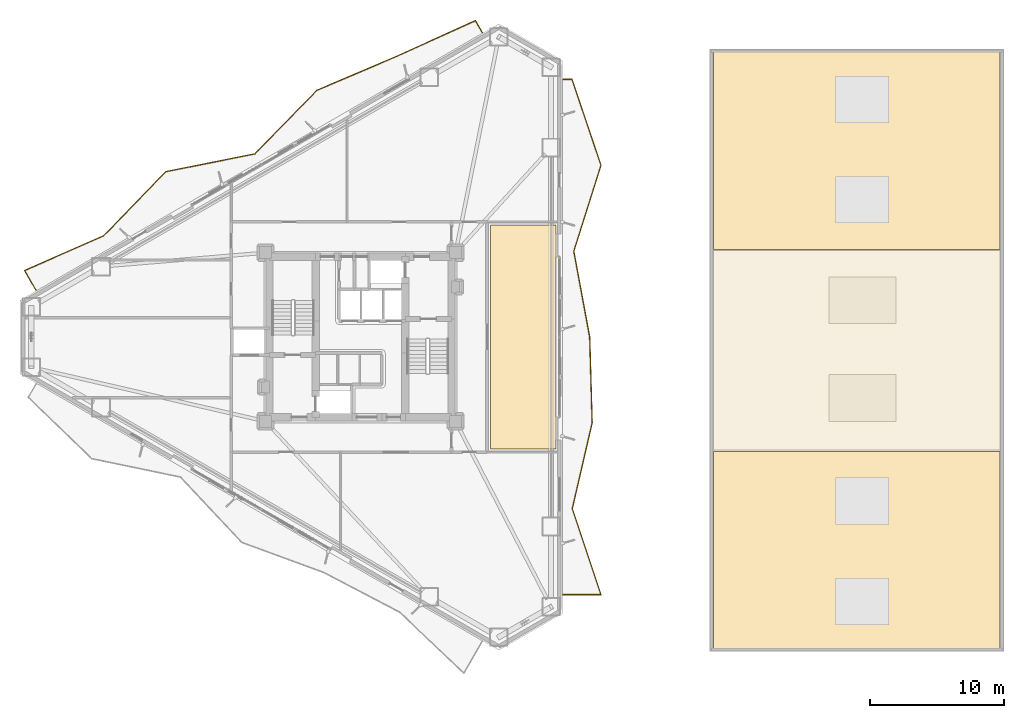
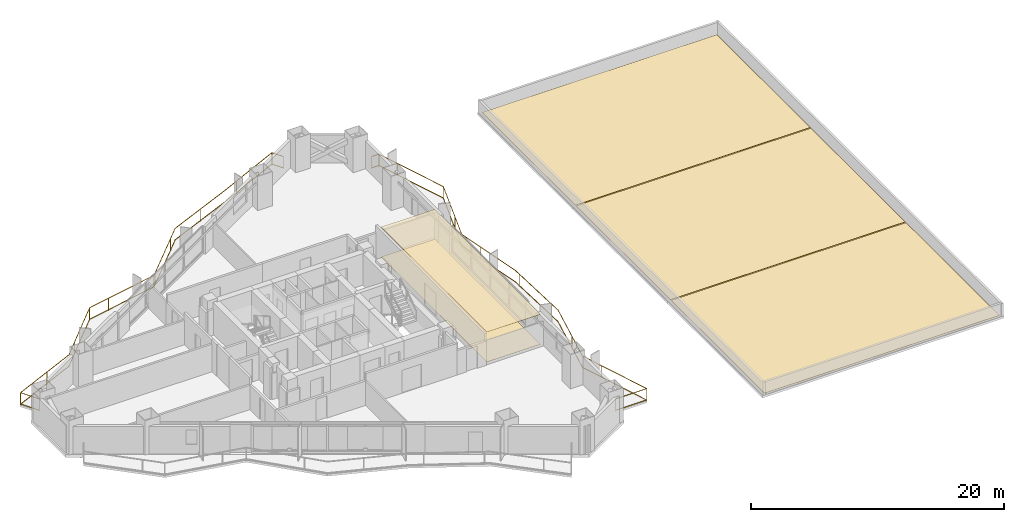
# One storey, part 16 of 16: 5 coverings, 2 railings.
"""IFC4 building model written with IfcOpenShell, lengths in metres."""

import ifcopenshell
import ifcopenshell.guid

model = None  # the IFC model being written
_history = None  # IfcOwnerHistory: only IFC2X3 demands one
_inside = {}  # id of a spatial element -> (the spatial element, [elements in it])
_under = {}  # id of a project, library or spatial element -> (it, [spatial elements below it])
_declared = {}  # id of a project -> (the project, [libraries it declares])
_typed = {}  # id of a type object -> (the type object, [elements of that type])
_made_of = {}  # id of a material, layer set ... -> (it, [elements and type objects made of it])


def new_model(schema):
    """Start an empty IFC model of exactly this schema.

    Asked for "IFC4X3", IfcOpenShell would pick the latest addendum, in which some entities
    have other attributes; the version numbers below select the first issue.
    IFC2X3 requires an IfcOwnerHistory on every rooted entity: one is made here for all.
    """
    global model, _history
    if schema == "IFC4X3":
        model = ifcopenshell.file(schema_version=(4, 3, 0, 0))
    else:
        model = ifcopenshell.file(schema=schema)
    _inside.clear()
    _under.clear()
    _declared.clear()
    _typed.clear()
    _made_of.clear()
    _history = None
    if model.schema == "IFC2X3":
        org = make("IfcOrganization", Name="unknown")
        user = make(
            "IfcPersonAndOrganization",
            ThePerson=make("IfcPerson", FamilyName="unknown"),
            TheOrganization=org,
        )
        app = make(
            "IfcApplication",
            ApplicationDeveloper=org,
            Version="unknown",
            ApplicationFullName="unknown",
            ApplicationIdentifier="unknown",
        )
        _history = make(
            "IfcOwnerHistory",
            OwningUser=user,
            OwningApplication=app,
            ChangeAction="ADDED",
            CreationDate=0,
        )
    return model


def make(cls, **values):
    """One entity of the class cls with the attributes given. An attribute that is None is left unset."""
    return model.create_entity(
        cls, **{name: value for name, value in values.items() if value is not None}
    )


def rooted(cls, **values):
    """An entity with a GlobalId (a new one), such as an element, a storey or a relation."""
    return make(cls, GlobalId=ifcopenshell.guid.new(), OwnerHistory=_history, **values)


def si_unit(unit_type, name, prefix=None):
    """IfcSIUnit, for example si_unit("LENGTHUNIT", "METRE", prefix="MILLI")."""
    return make("IfcSIUnit", UnitType=unit_type, Prefix=prefix, Name=name)


def assignment(units):
    """IfcUnitAssignment: the units of a project."""
    return None if units is None else make("IfcUnitAssignment", Units=units)


def point(xyz):
    """IfcCartesianPoint."""
    return None if xyz is None else make("IfcCartesianPoint", Coordinates=xyz)


def direction(xyz):
    """IfcDirection."""
    return None if xyz is None else make("IfcDirection", DirectionRatios=xyz)


def frame(location, z_axis=None, x_axis=None):
    """IfcAxis2Placement3D, a coordinate frame: its origin and axes. An axis left out is left unset."""
    return make(
        "IfcAxis2Placement3D",
        Location=point(location),
        Axis=direction(z_axis),
        RefDirection=direction(x_axis),
    )


def frame_2d(location, x_axis=None):
    """IfcAxis2Placement2D, a coordinate frame in the plane: its origin and x axis."""
    return make(
        "IfcAxis2Placement2D", Location=point(location), RefDirection=direction(x_axis)
    )


def origin():
    """The frame at (0, 0, 0) with its axes left unset."""
    return frame((0.0, 0.0, 0.0))


def origin_2d():
    """The frame at (0, 0) in the plane with its x axis left unset."""
    return frame_2d((0.0, 0.0))


def place(relative_to, where):
    """IfcLocalPlacement: puts the frame where relative to a parent placement (None: the world)."""
    return make(
        "IfcLocalPlacement", PlacementRelTo=relative_to, RelativePlacement=where
    )


def context(
    kind, dimensions, precision=None, world=None, true_north=None, identifier=None
):
    """IfcGeometricRepresentationContext, for example the 3D "Model" context."""
    return make(
        "IfcGeometricRepresentationContext",
        ContextIdentifier=identifier,
        ContextType=kind,
        CoordinateSpaceDimension=dimensions,
        Precision=precision,
        WorldCoordinateSystem=world,
        TrueNorth=true_north,
    )


def subcontext(parent, identifier, kind, view, scale=None):
    """IfcGeometricRepresentationSubContext, for example "Body" below "Model"."""
    return make(
        "IfcGeometricRepresentationSubContext",
        ContextIdentifier=identifier,
        ContextType=kind,
        ParentContext=parent,
        TargetScale=scale,
        TargetView=view,
    )


def project(units=None, contexts=None):
    """IfcProject with its units and contexts."""
    return rooted(
        "IfcProject",
        Name="project",
        RepresentationContexts=contexts,
        UnitsInContext=assignment(units),
    )


def spatial(cls, under=None, at=None, **own):
    """A site, building, storey or space (cls), placed at a placement, below another one or the project."""
    s = rooted(cls, ObjectPlacement=at, **own)
    if under is not None:
        _under.setdefault(under.id(), (under, []))[1].append(s)
    return s


def polyline(points):
    """IfcPolyline through the points."""
    return make("IfcPolyline", Points=[point(p) for p in points])


def profile(cls, at=None, kind="AREA", **sizes):
    """A parametric profile (cls). Its sizes go by their IFC names, for example OverallWidth=200.0."""
    return make(cls, ProfileType=kind, Position=at, **sizes)


def rectangle(**sizes):
    """IfcRectangleProfileDef."""
    return profile("IfcRectangleProfileDef", **sizes)


def outline(outer, holes=None, kind="AREA"):
    """IfcArbitraryClosedProfileDef: a profile drawn as a closed curve; with holes, ...WithVoids."""
    if holes is None:
        return make("IfcArbitraryClosedProfileDef", ProfileType=kind, OuterCurve=outer)
    return make(
        "IfcArbitraryProfileDefWithVoids",
        ProfileType=kind,
        OuterCurve=outer,
        InnerCurves=holes,
    )


def extrude(swept, where, along, depth):
    """IfcExtrudedAreaSolid: the profile swept, set in the frame where, extruded along a direction by depth."""
    return make(
        "IfcExtrudedAreaSolid",
        SweptArea=swept,
        Position=where,
        ExtrudedDirection=direction(along),
        Depth=depth,
    )


def shape(context_of_items, identifier, shape_type, items):
    """IfcShapeRepresentation: the items that make up one representation, for example the "Body"."""
    return make(
        "IfcShapeRepresentation",
        ContextOfItems=context_of_items,
        RepresentationIdentifier=identifier,
        RepresentationType=shape_type,
        Items=items,
    )


def material(Name=None, Category=None):
    """IfcMaterial."""
    return make("IfcMaterial", Name=Name, Category=Category)


def layer(
    of_material, thickness, ventilated=None, Name=None, Category=None, Priority=None
):
    """IfcMaterialLayer: one layer of a wall or slab, of a material (None: an air gap)."""
    return make(
        "IfcMaterialLayer",
        Material=of_material,
        LayerThickness=thickness,
        IsVentilated=ventilated,
        Name=Name,
        Category=Category,
        Priority=Priority,
    )


def layer_set(layers, Name=None):
    """IfcMaterialLayerSet."""
    return make("IfcMaterialLayerSet", MaterialLayers=layers, LayerSetName=Name)


def made_of(thing, what):
    """Note that an element or type object is made of a material, layer set ...; save() writes the relation."""
    if what is not None:
        _made_of.setdefault(what.id(), (what, []))[1].append(thing)
    return thing


def type_object(cls, material=None, **own):
    """A type object (cls), such as IfcWallType, which elements share."""
    return made_of(rooted(cls, **own), material)


def element(
    cls,
    number,
    at=None,
    inside=None,
    cuts=None,
    type_object=None,
    material=None,
    context=None,
    identifier="Body",
    shape_type=None,
    held_by="IfcProductDefinitionShape",
    body=None,
    shapes=None,
    **own,
):
    """One element of the class cls, such as IfcWall. Its Tag is "e" and its number.

    at: its placement. inside: the storey or other place that contains it. cuts: it is an
    opening in that element (IfcRelVoidsElement). A single representation is given by context,
    identifier, shape_type and body (its items); several are given by shapes. held_by: the class
    of the entity that holds the representations. save() writes the other relations.
    """
    e = rooted(cls, Tag="e%d" % number, ObjectPlacement=at, **own)
    if body is not None:
        shapes = [shape(context, identifier, shape_type, body)]
    if shapes is not None:
        e.Representation = make(held_by, Representations=shapes)
    if inside is not None:
        _inside.setdefault(inside.id(), (inside, []))[1].append(e)
    if cuts is not None:
        rooted(
            "IfcRelVoidsElement", RelatingBuildingElement=cuts, RelatedOpeningElement=e
        )
    if type_object is not None:
        _typed.setdefault(type_object.id(), (type_object, []))[1].append(e)
    return made_of(e, material)


def aggregate(whole, parts):
    """IfcRelAggregates: a whole, such as a stair, and the parts it consists of."""
    return rooted("IfcRelAggregates", RelatingObject=whole, RelatedObjects=parts)


def save(model, path):
    """Write the relations noted so far, then the file.

    IfcRelAggregates (storeys below a building ...), IfcRelContainedInSpatialStructure (elements
    in a storey), IfcRelDefinesByType, IfcRelAssociatesMaterial and IfcRelDeclares: one each for
    every whole, place, type object, material and project.
    """
    for whole, parts in _under.values():
        aggregate(whole, parts)
    for where, things in _inside.values():
        rooted(
            "IfcRelContainedInSpatialStructure",
            RelatedElements=things,
            RelatingStructure=where,
        )
    for kind, things in _typed.values():
        rooted("IfcRelDefinesByType", RelatedObjects=things, RelatingType=kind)
    for what, things in _made_of.values():
        rooted("IfcRelAssociatesMaterial", RelatedObjects=things, RelatingMaterial=what)
    for by, libraries in _declared.values():
        rooted("IfcRelDeclares", RelatingContext=by, RelatedDefinitions=libraries)
    model.write(path)


model = new_model("IFC4")

# Units and contexts
model_context = context("Model", 3, precision=1e-05, world=origin(), true_north=direction((0.0, 1.0)))
body_context = subcontext(model_context, "Body", "Model", "MODEL_VIEW")
ifc_project = project(units=[si_unit("LENGTHUNIT", "METRE"), si_unit("AREAUNIT", "SQUARE_METRE"), si_unit("VOLUMEUNIT", "CUBIC_METRE"), si_unit("PLANEANGLEUNIT", "RADIAN"), si_unit("MASSUNIT", "GRAM", prefix="KILO")], contexts=[model_context])

# Site, building, storey
site_placement = place(None, origin())
site = spatial("IfcSite", under=ifc_project, at=site_placement, CompositionType="ELEMENT")
building_placement = place(site_placement, origin())
building = spatial("IfcBuilding", under=site, at=building_placement, Name="Mersakhor Tower and Convention Hall", CompositionType="ELEMENT")
storey_placement = place(building_placement, frame((0.0, 0.0, 19.199951171875)))
storey = spatial("IfcBuildingStorey", under=building, at=storey_placement, Name="L04", CompositionType="ELEMENT", Elevation=19.199951171875)

# Coverings
ifc_material_1 = material(Name="Acoustic mineral-fibre suspended ceiling", Category="other")
ifc_layer_1 = layer(ifc_material_1, 0.02490234375)
ifc_layer_set_1 = layer_set([ifc_layer_1], Name="Acoustic mineral-fibre suspended ceiling")
covering_type_1 = type_object("IfcCoveringType", Name="COV-CLG-25", PredefinedType="CEILING", material=ifc_layer_set_1)
covering_1_placement = place(storey_placement, frame((0.0, 0.0, 2.880126953125)))
element("IfcCovering", 1, at=covering_1_placement, inside=storey, type_object=covering_type_1, Name="L04 Podium Residents Library Hall Acoustic Suspended Ceiling", PredefinedType="CEILING", context=body_context, shape_type="SweptSolid", body=[
    extrude(outline(polyline([(38.699951171875, 18.39990234375), (38.699951171875, 35.10009765625), (43.60009765625, 35.10009765625), (43.60009765625, 18.39990234375), (38.699951171875, 18.39990234375)])), origin(), (0.0, 0.0, 1.0), 0.02490234375),
])
ifc_material_2 = material(Name="Polished porcelain tile flooring", Category="other")
ifc_layer_2 = layer(ifc_material_2, 0.02001953125)
ifc_layer_set_2 = layer_set([ifc_layer_2], Name="Polished porcelain tile flooring")
covering_type_2 = type_object("IfcCoveringType", Name="COV-FLR-20", PredefinedType="FLOORING", material=ifc_layer_set_2)
covering_2_placement = place(storey_placement, origin())
element("IfcCovering", 2, at=covering_2_placement, inside=storey, type_object=covering_type_2, Name="L04 Podium Residents Library Hall Porcelain Floor Finish", PredefinedType="FLOORING", context=body_context, shape_type="SweptSolid", body=[
    extrude(outline(polyline([(38.699951171875, 18.39990234375), (38.699951171875, 35.10009765625), (43.60009765625, 35.10009765625), (43.60009765625, 18.39990234375), (38.699951171875, 18.39990234375)])), origin(), (0.0, 0.0, 1.0), 0.02001953125),
])
ifc_material_3 = material(Name="Elastomeric waterproof membrane and insulation", Category="other")
ifc_layer_3 = layer(ifc_material_3, 0.0400390625)
ifc_layer_set_3 = layer_set([ifc_layer_3], Name="Elastomeric waterproof membrane and insulation")
covering_type_3 = type_object("IfcCoveringType", Name="COV-ROOF-MEMB", PredefinedType="ROOFING", material=ifc_layer_set_3)
covering_3_placement = place(storey_placement, frame((0.0, 0.0, 0.2099609375)))
element("IfcCovering", 3, at=covering_3_placement, inside=storey, type_object=covering_type_3, Name="Convention Roof Waterproofing Membrane RFM-1", PredefinedType="ROOFING", context=body_context, shape_type="SweptSolid", body=[
    extrude(outline(polyline([(55.375, 3.449951171875), (55.375, 18.199951171875), (76.77490234375, 18.199951171875), (76.77490234375, 3.449951171875), (55.375, 3.449951171875)])), origin(), (0.0, 0.0, 1.0), 0.0400390625),
])
covering_4_placement = place(storey_placement, frame((0.0, 0.0, 0.2099609375)))
element("IfcCovering", 4, at=covering_4_placement, inside=storey, type_object=covering_type_3, Name="Convention Roof Waterproofing Membrane RFM-2", PredefinedType="ROOFING", context=body_context, shape_type="SweptSolid", body=[
    extrude(outline(polyline([(55.375, 18.300048828125), (55.375, 33.199951171875), (76.77490234375, 33.199951171875), (76.77490234375, 18.300048828125), (55.375, 18.300048828125)])), origin(), (0.0, 0.0, 1.0), 0.0400390625),
])
covering_5_placement = place(storey_placement, frame((0.0, 0.0, 0.2099609375)))
element("IfcCovering", 5, at=covering_5_placement, inside=storey, type_object=covering_type_3, Name="Convention Roof Waterproofing Membrane RFM-3", PredefinedType="ROOFING", context=body_context, shape_type="SweptSolid", body=[
    extrude(outline(polyline([(55.375, 33.300048828125), (55.375, 48.050048828125), (76.77490234375, 48.050048828125), (76.77490234375, 33.300048828125), (55.375, 33.300048828125)])), origin(), (0.0, 0.0, 1.0), 0.0400390625),
])

# Railings
ifc_material_4 = material(Name="Powder-coated galvanised steel and laminated glass balustrade", Category="steel")
railing_type = type_object("IfcRailingType", Name="RL-BAL-1200", PredefinedType="BALUSTRADE", material=ifc_material_4)
railing_1_placement = place(storey_placement, frame((38.099609375, 49.497314453125, 0.0)))
element("IfcRailing", 6, at=railing_1_placement, inside=storey, type_object=railing_type, Name="L04 Sinusoidal Balcony Balustrade F1", PredefinedType="BALUSTRADE", context=body_context, shape_type="SweptSolid", body=[
    extrude(rectangle(XDim=0.048095703125, YDim=0.048095703125, at=origin_2d()), frame((0.0, 0.0, 1.17578125), z_axis=(-0.5001118933, 0.865960792519, 0.0), x_axis=(-0.865960792519, -0.5001118933, 0.0)), (0.0, 0.0, 1.0), 1.031005859375),
    extrude(rectangle(XDim=0.048095703125, YDim=0.048095703125, at=origin_2d()), frame((0.0, 0.0, 0.080078125), z_axis=(-0.5001118933, 0.865960792519, 0.0), x_axis=(-0.865960792519, -0.5001118933, 0.0)), (0.0, 0.0, 1.0), 1.031005859375),
    extrude(rectangle(XDim=0.048095703125, YDim=0.048095703125, at=origin_2d()), frame((-0.515625, 0.892822265625, 1.17578125), z_axis=(-0.910485723337, -0.413540502973, 0.0), x_axis=(0.413540502973, -0.910485723337, 0.0)), (0.0, 0.0, 1.0), 6.448486328125),
    extrude(rectangle(XDim=0.048095703125, YDim=0.048095703125, at=origin_2d()), frame((-0.515625, 0.892822265625, 0.080078125), z_axis=(-0.910485723337, -0.413540502973, 0.0), x_axis=(0.413540502973, -0.910485723337, 0.0)), (0.0, 0.0, 1.0), 6.448486328125),
    extrude(rectangle(XDim=0.048095703125, YDim=0.048095703125, at=origin_2d()), frame((-6.386962890625, -1.77392578125, 1.17578125), z_axis=(-0.920107155072, -0.391666724633, 0.0), x_axis=(0.391666724633, -0.920107155072, 0.0)), (0.0, 0.0, 1.0), 6.46533203125),
    extrude(rectangle(XDim=0.048095703125, YDim=0.048095703125, at=origin_2d()), frame((-6.386962890625, -1.77392578125, 0.080078125), z_axis=(-0.920107155072, -0.391666724633, 0.0), x_axis=(0.391666724633, -0.920107155072, 0.0)), (0.0, 0.0, 1.0), 6.46533203125),
    extrude(rectangle(XDim=0.048095703125, YDim=0.048095703125, at=origin_2d()), frame((-12.335693359375, -4.30615234375, 1.17578125), z_axis=(-0.699999233966, -0.714143593717, 0.0), x_axis=(0.714143593717, -0.699999233966, 0.0)), (0.0, 0.0, 1.0), 6.66259765625),
    extrude(rectangle(XDim=0.048095703125, YDim=0.048095703125, at=origin_2d()), frame((-12.335693359375, -4.30615234375, 0.080078125), z_axis=(-0.699999233966, -0.714143593717, 0.0), x_axis=(0.714143593717, -0.699999233966, 0.0)), (0.0, 0.0, 1.0), 6.66259765625),
    extrude(rectangle(XDim=0.048095703125, YDim=0.048095703125, at=origin_2d()), frame((-16.99951171875, -9.064208984375, 1.17578125), z_axis=(-0.980554333422, -0.196247800515, 0.0), x_axis=(0.196247800515, -0.980554333422, 0.0)), (0.0, 0.0, 1.0), 6.775146484375),
    extrude(rectangle(XDim=0.048095703125, YDim=0.048095703125, at=origin_2d()), frame((-16.99951171875, -9.064208984375, 0.080078125), z_axis=(-0.980554333422, -0.196247800515, 0.0), x_axis=(0.196247800515, -0.980554333422, 0.0)), (0.0, 0.0, 1.0), 6.775146484375),
    extrude(rectangle(XDim=0.048095703125, YDim=0.048095703125, at=origin_2d()), frame((-23.642822265625, -10.393798828125, 1.17578125), z_axis=(-0.696322967698, -0.717728587041, 0.0), x_axis=(0.717728587041, -0.696322967698, 0.0)), (0.0, 0.0, 1.0), 6.672119140625),
    extrude(rectangle(XDim=0.048095703125, YDim=0.048095703125, at=origin_2d()), frame((-23.642822265625, -10.393798828125, 0.080078125), z_axis=(-0.696322967698, -0.717728587041, 0.0), x_axis=(0.717728587041, -0.696322967698, 0.0)), (0.0, 0.0, 1.0), 6.672119140625),
    extrude(rectangle(XDim=0.048095703125, YDim=0.048095703125, at=origin_2d()), frame((-28.288818359375, -15.1826171875, 1.17578125), z_axis=(-0.915398088509, -0.402549797607, 0.0), x_axis=(0.402549797607, -0.915398088509, 0.0)), (0.0, 0.0, 1.0), 6.45654296875),
    extrude(rectangle(XDim=0.048095703125, YDim=0.048095703125, at=origin_2d()), frame((-28.288818359375, -15.1826171875, 0.080078125), z_axis=(-0.915398088509, -0.402549797607, 0.0), x_axis=(0.402549797607, -0.915398088509, 0.0)), (0.0, 0.0, 1.0), 6.45654296875),
    extrude(rectangle(XDim=0.048095703125, YDim=0.048095703125, at=origin_2d()), frame((-34.19921875, -17.78173828125, 1.17578125), z_axis=(0.500062241894, -0.865989465428, 0.0), x_axis=(0.865989465428, 0.500062241894, 0.0)), (0.0, 0.0, 1.0), 1.699951171875),
    extrude(rectangle(XDim=0.048095703125, YDim=0.048095703125, at=origin_2d()), frame((-34.19921875, -17.78173828125, 0.080078125), z_axis=(0.500062241894, -0.865989465428, 0.0), x_axis=(0.865989465428, 0.500062241894, 0.0)), (0.0, 0.0, 1.0), 1.699951171875),
    extrude(rectangle(XDim=0.0419921875, YDim=0.0419921875, at=origin_2d()), origin(), (0.0, 0.0, 1.0), 1.15185546875),
    extrude(rectangle(XDim=0.0419921875, YDim=0.0419921875, at=origin_2d()), frame((-0.515625, 0.892822265625, 0.0)), (0.0, 0.0, 1.0), 1.15185546875),
    extrude(rectangle(XDim=0.0419921875, YDim=0.0419921875, at=origin_2d()), frame((-4.885986328125, -1.09228515625, 0.0)), (0.0, 0.0, 1.0), 1.15185546875),
    extrude(rectangle(XDim=0.0419921875, YDim=0.0419921875, at=origin_2d()), frame((-9.28662109375, -3.00830078125, 0.0)), (0.0, 0.0, 1.0), 1.15185546875),
    extrude(rectangle(XDim=0.0419921875, YDim=0.0419921875, at=origin_2d()), frame((-13.3759765625, -5.367431640625, 0.0)), (0.0, 0.0, 1.0), 1.15185546875),
    extrude(rectangle(XDim=0.0419921875, YDim=0.0419921875, at=origin_2d()), frame((-16.736083984375, -8.79541015625, 0.0)), (0.0, 0.0, 1.0), 1.15185546875),
    extrude(rectangle(XDim=0.0419921875, YDim=0.0419921875, at=origin_2d()), frame((-16.99951171875, -9.064208984375, 0.0)), (0.0, 0.0, 1.0), 1.15185546875),
    extrude(rectangle(XDim=0.0419921875, YDim=0.0419921875, at=origin_2d()), frame((-21.7060546875, -10.006103515625, 0.0)), (0.0, 0.0, 1.0), 1.15185546875),
    extrude(rectangle(XDim=0.0419921875, YDim=0.0419921875, at=origin_2d()), frame((-23.642822265625, -10.393798828125, 0.0)), (0.0, 0.0, 1.0), 1.15185546875),
    extrude(rectangle(XDim=0.0419921875, YDim=0.0419921875, at=origin_2d()), frame((-26.985107421875, -13.8388671875, 0.0)), (0.0, 0.0, 1.0), 1.15185546875),
    extrude(rectangle(XDim=0.0419921875, YDim=0.0419921875, at=origin_2d()), frame((-30.968994140625, -16.361328125, 0.0)), (0.0, 0.0, 1.0), 1.15185546875),
    extrude(rectangle(XDim=0.0419921875, YDim=0.0419921875, at=origin_2d()), frame((-34.19921875, -17.78173828125, 0.0)), (0.0, 0.0, 1.0), 1.15185546875),
    extrude(rectangle(XDim=0.0419921875, YDim=0.0419921875, at=origin_2d()), frame((-33.34912109375, -19.25390625, 0.0)), (0.0, 0.0, 1.0), 1.15185546875),
])
railing_2_placement = place(storey_placement, frame((44.14990234375, 7.49609375, 0.0)))
element("IfcRailing", 7, at=railing_2_placement, inside=storey, type_object=railing_type, Name="L04 Sinusoidal Balcony Balustrade F2", PredefinedType="BALUSTRADE", context=body_context, shape_type="SweptSolid", body=[
    extrude(rectangle(XDim=0.048095703125, YDim=0.048095703125, at=origin_2d()), frame((0.0, 0.0, 1.17578125), z_axis=(1.0, 0.0, 0.0), x_axis=(0.0, 1.0, 0.0)), (0.0, 0.0, 1.0), 2.820068359375),
    extrude(rectangle(XDim=0.048095703125, YDim=0.048095703125, at=origin_2d()), frame((0.0, 0.0, 0.080078125), z_axis=(1.0, 0.0, 0.0), x_axis=(0.0, 1.0, 0.0)), (0.0, 0.0, 1.0), 2.820068359375),
    extrude(rectangle(XDim=0.048095703125, YDim=0.048095703125, at=origin_2d()), frame((2.820068359375, 0.0, 1.17578125), z_axis=(-0.317082667643, 0.948397902718, 0.0), x_axis=(-0.948397902718, -0.317082667643, 0.0)), (0.0, 0.0, 1.0), 6.76708984375),
    extrude(rectangle(XDim=0.048095703125, YDim=0.048095703125, at=origin_2d()), frame((2.820068359375, 0.0, 0.080078125), z_axis=(-0.317082667643, 0.948397902718, 0.0), x_axis=(-0.948397902718, -0.317082667643, 0.0)), (0.0, 0.0, 1.0), 6.76708984375),
    extrude(rectangle(XDim=0.048095703125, YDim=0.048095703125, at=origin_2d()), frame((0.67431640625, 6.41796875, 1.17578125), z_axis=(0.225652453902, 0.974207867987, 0.0), x_axis=(-0.974207867987, 0.225652453902, 0.0)), (0.0, 0.0, 1.0), 6.587890625),
    extrude(rectangle(XDim=0.048095703125, YDim=0.048095703125, at=origin_2d()), frame((0.67431640625, 6.41796875, 0.080078125), z_axis=(0.225652453902, 0.974207867987, 0.0), x_axis=(-0.974207867987, 0.225652453902, 0.0)), (0.0, 0.0, 1.0), 6.587890625),
    extrude(rectangle(XDim=0.048095703125, YDim=0.048095703125, at=origin_2d()), frame((2.160888671875, 12.8359375, 1.17578125), z_axis=(-0.028670497689, 0.999588916786, 0.0), x_axis=(-0.999588916786, -0.028670497689, 0.0)), (0.0, 0.0, 1.0), 6.420654296875),
    extrude(rectangle(XDim=0.048095703125, YDim=0.048095703125, at=origin_2d()), frame((2.160888671875, 12.8359375, 0.080078125), z_axis=(-0.028670497689, 0.999588916786, 0.0), x_axis=(-0.999588916786, -0.028670497689, 0.0)), (0.0, 0.0, 1.0), 6.420654296875),
    extrude(rectangle(XDim=0.048095703125, YDim=0.048095703125, at=origin_2d()), frame((1.976806640625, 19.25390625, 1.17578125), z_axis=(-0.181903072649, 0.983316465926, 0.0), x_axis=(-0.983316465926, -0.181903072649, 0.0)), (0.0, 0.0, 1.0), 6.52685546875),
    extrude(rectangle(XDim=0.048095703125, YDim=0.048095703125, at=origin_2d()), frame((1.976806640625, 19.25390625, 0.080078125), z_axis=(-0.181903072649, 0.983316465926, 0.0), x_axis=(-0.983316465926, -0.181903072649, 0.0)), (0.0, 0.0, 1.0), 6.52685546875),
    extrude(rectangle(XDim=0.048095703125, YDim=0.048095703125, at=origin_2d()), frame((0.78955078125, 25.671875, 1.17578125), z_axis=(0.301643374321, 0.953420827719, 0.0), x_axis=(-0.953420827719, 0.301643374321, 0.0)), (0.0, 0.0, 1.0), 6.7314453125),
    extrude(rectangle(XDim=0.048095703125, YDim=0.048095703125, at=origin_2d()), frame((0.78955078125, 25.671875, 0.080078125), z_axis=(0.301643374321, 0.953420827719, 0.0), x_axis=(-0.953420827719, 0.301643374321, 0.0)), (0.0, 0.0, 1.0), 6.7314453125),
    extrude(rectangle(XDim=0.048095703125, YDim=0.048095703125, at=origin_2d()), frame((2.820068359375, 32.08984375, 1.17578125), z_axis=(-0.320030995442, 0.947407072993, 0.0), x_axis=(-0.947407072993, -0.320030995442, 0.0)), (0.0, 0.0, 1.0), 6.774169921875),
    extrude(rectangle(XDim=0.048095703125, YDim=0.048095703125, at=origin_2d()), frame((2.820068359375, 32.08984375, 0.080078125), z_axis=(-0.320030995442, 0.947407072993, 0.0), x_axis=(-0.947407072993, -0.320030995442, 0.0)), (0.0, 0.0, 1.0), 6.774169921875),
    extrude(rectangle(XDim=0.048095703125, YDim=0.048095703125, at=origin_2d()), frame((0.652099609375, 38.5078125, 1.17578125), z_axis=(-1.0, 0.0, 0.0), x_axis=(0.0, -1.0, 0.0)), (0.0, 0.0, 1.0), 0.652099609375),
    extrude(rectangle(XDim=0.048095703125, YDim=0.048095703125, at=origin_2d()), frame((0.652099609375, 38.5078125, 0.080078125), z_axis=(-1.0, 0.0, 0.0), x_axis=(0.0, -1.0, 0.0)), (0.0, 0.0, 1.0), 0.652099609375),
    extrude(rectangle(XDim=0.0419921875, YDim=0.0419921875, at=origin_2d()), origin(), (0.0, 0.0, 1.0), 1.15185546875),
    extrude(rectangle(XDim=0.0419921875, YDim=0.0419921875, at=origin_2d()), frame((2.820068359375, 0.0, 0.0)), (0.0, 0.0, 1.0), 1.15185546875),
    extrude(rectangle(XDim=0.0419921875, YDim=0.0419921875, at=origin_2d()), frame((1.298095703125, 4.55224609375, 0.0)), (0.0, 0.0, 1.0), 1.15185546875),
    extrude(rectangle(XDim=0.0419921875, YDim=0.0419921875, at=origin_2d()), frame((1.3134765625, 9.177734375, 0.0)), (0.0, 0.0, 1.0), 1.15185546875),
    extrude(rectangle(XDim=0.0419921875, YDim=0.0419921875, at=origin_2d()), frame((2.130859375, 13.88037109375, 0.0)), (0.0, 0.0, 1.0), 1.15185546875),
    extrude(rectangle(XDim=0.0419921875, YDim=0.0419921875, at=origin_2d()), frame((1.993408203125, 18.678466796875, 0.0)), (0.0, 0.0, 1.0), 1.15185546875),
    extrude(rectangle(XDim=0.0419921875, YDim=0.0419921875, at=origin_2d()), frame((1.20849609375, 23.40771484375, 0.0)), (0.0, 0.0, 1.0), 1.15185546875),
    extrude(rectangle(XDim=0.0419921875, YDim=0.0419921875, at=origin_2d()), frame((1.54296875, 28.052978515625, 0.0)), (0.0, 0.0, 1.0), 1.15185546875),
    extrude(rectangle(XDim=0.0419921875, YDim=0.0419921875, at=origin_2d()), frame((2.820068359375, 32.08984375, 0.0)), (0.0, 0.0, 1.0), 1.15185546875),
    extrude(rectangle(XDim=0.0419921875, YDim=0.0419921875, at=origin_2d()), frame((1.283935546875, 36.637451171875, 0.0)), (0.0, 0.0, 1.0), 1.15185546875),
    extrude(rectangle(XDim=0.0419921875, YDim=0.0419921875, at=origin_2d()), frame((0.652099609375, 38.5078125, 0.0)), (0.0, 0.0, 1.0), 1.15185546875),
    extrude(rectangle(XDim=0.0419921875, YDim=0.0419921875, at=origin_2d()), frame((0.0, 38.5078125, 0.0)), (0.0, 0.0, 1.0), 1.15185546875),
])

save(model, "model.ifc")
